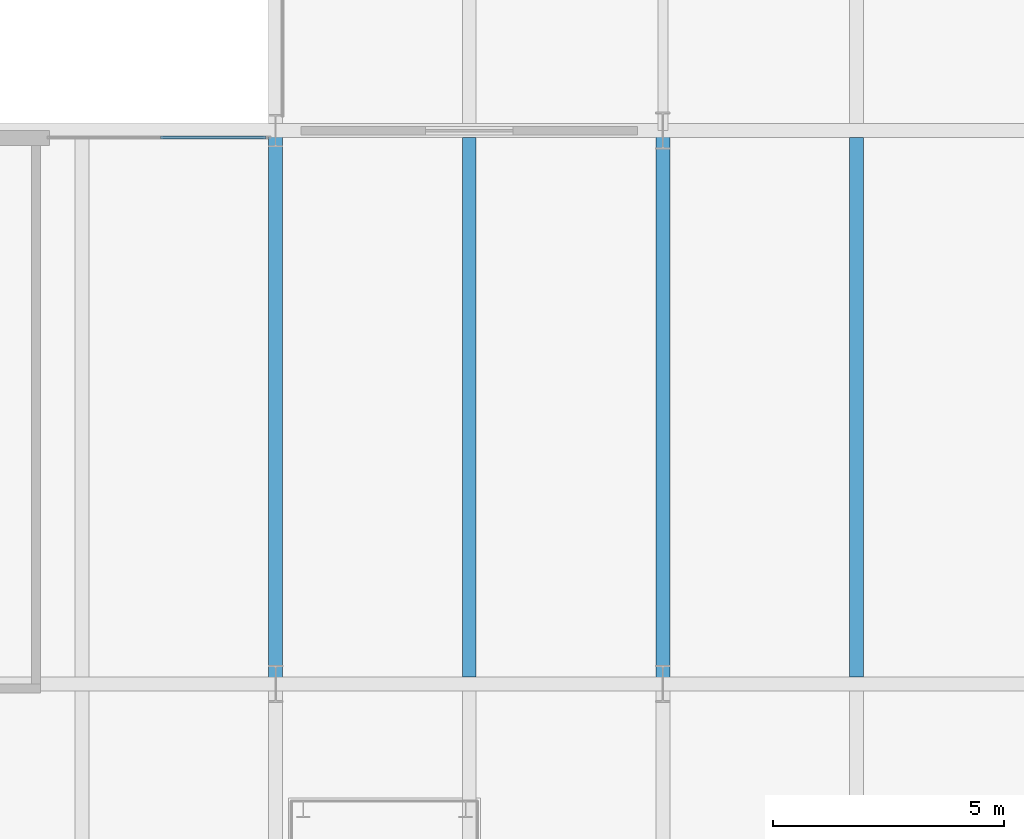
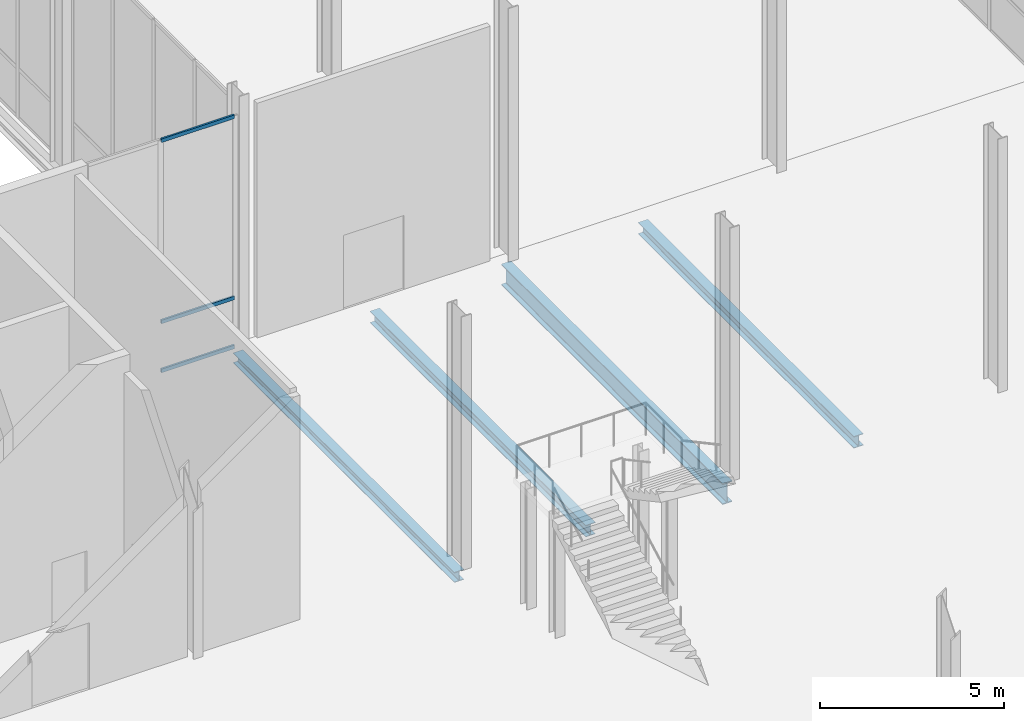
# One storey, part 52 of 131: 4 beams, 3 members, 1 element without a shape of its own.
"""IFC4 building model written with IfcOpenShell, lengths in metres."""

import ifcopenshell
import ifcopenshell.guid

model = None  # the IFC model being written
_history = None  # IfcOwnerHistory: only IFC2X3 demands one
_inside = {}  # id of a spatial element -> (the spatial element, [elements in it])
_under = {}  # id of a project, library or spatial element -> (it, [spatial elements below it])
_declared = {}  # id of a project -> (the project, [libraries it declares])
_typed = {}  # id of a type object -> (the type object, [elements of that type])
_made_of = {}  # id of a material, layer set ... -> (it, [elements and type objects made of it])


def new_model(schema):
    """Start an empty IFC model of exactly this schema.

    Asked for "IFC4X3", IfcOpenShell would pick the latest addendum, in which some entities
    have other attributes; the version numbers below select the first issue.
    IFC2X3 requires an IfcOwnerHistory on every rooted entity: one is made here for all.
    """
    global model, _history
    if schema == "IFC4X3":
        model = ifcopenshell.file(schema_version=(4, 3, 0, 0))
    else:
        model = ifcopenshell.file(schema=schema)
    _inside.clear()
    _under.clear()
    _declared.clear()
    _typed.clear()
    _made_of.clear()
    _history = None
    if model.schema == "IFC2X3":
        org = make("IfcOrganization", Name="unknown")
        user = make(
            "IfcPersonAndOrganization",
            ThePerson=make("IfcPerson", FamilyName="unknown"),
            TheOrganization=org,
        )
        app = make(
            "IfcApplication",
            ApplicationDeveloper=org,
            Version="unknown",
            ApplicationFullName="unknown",
            ApplicationIdentifier="unknown",
        )
        _history = make(
            "IfcOwnerHistory",
            OwningUser=user,
            OwningApplication=app,
            ChangeAction="ADDED",
            CreationDate=0,
        )
    return model


def make(cls, **values):
    """One entity of the class cls with the attributes given. An attribute that is None is left unset."""
    return model.create_entity(
        cls, **{name: value for name, value in values.items() if value is not None}
    )


def rooted(cls, **values):
    """An entity with a GlobalId (a new one), such as an element, a storey or a relation."""
    return make(cls, GlobalId=ifcopenshell.guid.new(), OwnerHistory=_history, **values)


def si_unit(unit_type, name, prefix=None):
    """IfcSIUnit, for example si_unit("LENGTHUNIT", "METRE", prefix="MILLI")."""
    return make("IfcSIUnit", UnitType=unit_type, Prefix=prefix, Name=name)


def assignment(units):
    """IfcUnitAssignment: the units of a project."""
    return None if units is None else make("IfcUnitAssignment", Units=units)


def point(xyz):
    """IfcCartesianPoint."""
    return None if xyz is None else make("IfcCartesianPoint", Coordinates=xyz)


def direction(xyz):
    """IfcDirection."""
    return None if xyz is None else make("IfcDirection", DirectionRatios=xyz)


def frame(location, z_axis=None, x_axis=None):
    """IfcAxis2Placement3D, a coordinate frame: its origin and axes. An axis left out is left unset."""
    return make(
        "IfcAxis2Placement3D",
        Location=point(location),
        Axis=direction(z_axis),
        RefDirection=direction(x_axis),
    )


def frame_2d(location, x_axis=None):
    """IfcAxis2Placement2D, a coordinate frame in the plane: its origin and x axis."""
    return make(
        "IfcAxis2Placement2D", Location=point(location), RefDirection=direction(x_axis)
    )


def origin():
    """The frame at (0, 0, 0) with its axes left unset."""
    return frame((0.0, 0.0, 0.0))


def origin_2d():
    """The frame at (0, 0) in the plane with its x axis left unset."""
    return frame_2d((0.0, 0.0))


def place(relative_to, where):
    """IfcLocalPlacement: puts the frame where relative to a parent placement (None: the world)."""
    return make(
        "IfcLocalPlacement", PlacementRelTo=relative_to, RelativePlacement=where
    )


def context(
    kind, dimensions, precision=None, world=None, true_north=None, identifier=None
):
    """IfcGeometricRepresentationContext, for example the 3D "Model" context."""
    return make(
        "IfcGeometricRepresentationContext",
        ContextIdentifier=identifier,
        ContextType=kind,
        CoordinateSpaceDimension=dimensions,
        Precision=precision,
        WorldCoordinateSystem=world,
        TrueNorth=true_north,
    )


def subcontext(parent, identifier, kind, view, scale=None):
    """IfcGeometricRepresentationSubContext, for example "Body" below "Model"."""
    return make(
        "IfcGeometricRepresentationSubContext",
        ContextIdentifier=identifier,
        ContextType=kind,
        ParentContext=parent,
        TargetScale=scale,
        TargetView=view,
    )


def project(units=None, contexts=None):
    """IfcProject with its units and contexts."""
    return rooted(
        "IfcProject",
        Name="project",
        RepresentationContexts=contexts,
        UnitsInContext=assignment(units),
    )


def spatial(cls, under=None, at=None, **own):
    """A site, building, storey or space (cls), placed at a placement, below another one or the project."""
    s = rooted(cls, ObjectPlacement=at, **own)
    if under is not None:
        _under.setdefault(under.id(), (under, []))[1].append(s)
    return s


def profile(cls, at=None, kind="AREA", **sizes):
    """A parametric profile (cls). Its sizes go by their IFC names, for example OverallWidth=200.0."""
    return make(cls, ProfileType=kind, Position=at, **sizes)


def hollow_rectangle(**sizes):
    """IfcRectangleHollowProfileDef."""
    return profile("IfcRectangleHollowProfileDef", **sizes)


def i_section(**sizes):
    """IfcIShapeProfileDef."""
    return profile("IfcIShapeProfileDef", **sizes)


def extrude(swept, where, along, depth):
    """IfcExtrudedAreaSolid: the profile swept, set in the frame where, extruded along a direction by depth."""
    return make(
        "IfcExtrudedAreaSolid",
        SweptArea=swept,
        Position=where,
        ExtrudedDirection=direction(along),
        Depth=depth,
    )


def shape(context_of_items, identifier, shape_type, items):
    """IfcShapeRepresentation: the items that make up one representation, for example the "Body"."""
    return make(
        "IfcShapeRepresentation",
        ContextOfItems=context_of_items,
        RepresentationIdentifier=identifier,
        RepresentationType=shape_type,
        Items=items,
    )


def material(Name=None, Category=None):
    """IfcMaterial."""
    return make("IfcMaterial", Name=Name, Category=Category)


def material_profile(
    of_material, cross_section, Name=None, Category=None, Priority=None
):
    """IfcMaterialProfile: a cross section and its material."""
    return make(
        "IfcMaterialProfile",
        Name=Name,
        Material=of_material,
        Profile=cross_section,
        Priority=Priority,
        Category=Category,
    )


def profile_set(profiles, Name=None, composite=None):
    """IfcMaterialProfileSet."""
    return make(
        "IfcMaterialProfileSet",
        Name=Name,
        MaterialProfiles=profiles,
        CompositeProfile=composite,
    )


def made_of(thing, what):
    """Note that an element or type object is made of a material, layer set ...; save() writes the relation."""
    if what is not None:
        _made_of.setdefault(what.id(), (what, []))[1].append(thing)
    return thing


def type_object(cls, material=None, **own):
    """A type object (cls), such as IfcWallType, which elements share."""
    return made_of(rooted(cls, **own), material)


def element(
    cls,
    number,
    at=None,
    inside=None,
    cuts=None,
    type_object=None,
    material=None,
    context=None,
    identifier="Body",
    shape_type=None,
    held_by="IfcProductDefinitionShape",
    body=None,
    shapes=None,
    **own,
):
    """One element of the class cls, such as IfcWall. Its Tag is "e" and its number.

    at: its placement. inside: the storey or other place that contains it. cuts: it is an
    opening in that element (IfcRelVoidsElement). A single representation is given by context,
    identifier, shape_type and body (its items); several are given by shapes. held_by: the class
    of the entity that holds the representations. save() writes the other relations.
    """
    e = rooted(cls, Tag="e%d" % number, ObjectPlacement=at, **own)
    if body is not None:
        shapes = [shape(context, identifier, shape_type, body)]
    if shapes is not None:
        e.Representation = make(held_by, Representations=shapes)
    if inside is not None:
        _inside.setdefault(inside.id(), (inside, []))[1].append(e)
    if cuts is not None:
        rooted(
            "IfcRelVoidsElement", RelatingBuildingElement=cuts, RelatedOpeningElement=e
        )
    if type_object is not None:
        _typed.setdefault(type_object.id(), (type_object, []))[1].append(e)
    return made_of(e, material)


def aggregate(whole, parts):
    """IfcRelAggregates: a whole, such as a stair, and the parts it consists of."""
    return rooted("IfcRelAggregates", RelatingObject=whole, RelatedObjects=parts)


def save(model, path):
    """Write the relations noted so far, then the file.

    IfcRelAggregates (storeys below a building ...), IfcRelContainedInSpatialStructure (elements
    in a storey), IfcRelDefinesByType, IfcRelAssociatesMaterial and IfcRelDeclares: one each for
    every whole, place, type object, material and project.
    """
    for whole, parts in _under.values():
        aggregate(whole, parts)
    for where, things in _inside.values():
        rooted(
            "IfcRelContainedInSpatialStructure",
            RelatedElements=things,
            RelatingStructure=where,
        )
    for kind, things in _typed.values():
        rooted("IfcRelDefinesByType", RelatedObjects=things, RelatingType=kind)
    for what, things in _made_of.values():
        rooted("IfcRelAssociatesMaterial", RelatedObjects=things, RelatingMaterial=what)
    for by, libraries in _declared.values():
        rooted("IfcRelDeclares", RelatingContext=by, RelatedDefinitions=libraries)
    model.write(path)


model = new_model("IFC4")

# Units and contexts
model_context = context("Model", 3, precision=1e-05, world=origin(), true_north=direction((0.0, 1.0)))
body_context = subcontext(model_context, "Body", "Model", "MODEL_VIEW")
ifc_project = project(units=[si_unit("LENGTHUNIT", "METRE"), si_unit("AREAUNIT", "SQUARE_METRE"), si_unit("VOLUMEUNIT", "CUBIC_METRE"), si_unit("PLANEANGLEUNIT", "RADIAN"), si_unit("MASSUNIT", "GRAM", prefix="KILO")], contexts=[model_context])

# Site, building, storey
site_placement = place(None, origin())
site = spatial("IfcSite", under=ifc_project, at=site_placement, CompositionType="ELEMENT")
building_placement = place(site_placement, origin())
building = spatial("IfcBuilding", under=site, at=building_placement, Name="Veltarok Museum of Natural Sciences", CompositionType="ELEMENT")
storey_placement = place(building_placement, origin())
storey = spatial("IfcBuildingStorey", under=building, at=storey_placement, Name="L00", CompositionType="ELEMENT", Elevation=0.0)

# Curtain wall, members
ifc_material_1 = material(Name="Low-iron triple insulated glass", Category="glass")
curtain_wall_type = type_object("IfcCurtainWallType", Name="Curtain Wall System CW-V2NH-L00-2-475x768 (CW-V2NH L00 475x768cm)", PredefinedType="NOTDEFINED", material=ifc_material_1)
curtain_wall_placement = place(storey_placement, origin())
curtain_wall = element("IfcCurtainWall", 1, at=curtain_wall_placement, inside=storey, type_object=curtain_wall_type, Name="Curtain Wall CW-V2NH-L00-2-475x768 CW-0150", PredefinedType="NOTDEFINED")
ifc_material_2 = material(Name="Thermally broken anodised aluminium", Category="aluminium")
ifc_material_profile_1 = material_profile(ifc_material_2, hollow_rectangle(XDim=0.06005859375, YDim=0.1201171875, WallThickness=0.0048828125, at=origin_2d()), Name="CW TRANSOM 60x120x5")
ifc_profile_set_1 = profile_set([ifc_material_profile_1], Name="Thermally broken anodised aluminium")
member_type = type_object("IfcMemberType", Name="Curtain Wall Horizontal Transom 60x120x5", PredefinedType="USERDEFINED", material=ifc_profile_set_1)
member_1_placement = place(storey_placement, frame((56.590087890625, 71.85009765625, 0.028076171875), z_axis=(-1.0, 0.0, 0.0), x_axis=(0.0, -1.0, 0.0)))
member_1 = element("IfcMember", 2, at=member_1_placement, type_object=member_type, Name="CW-V2NH-L00-2-475x768 transom 1.1", ObjectType="TRANSOM", PredefinedType="USERDEFINED", context=body_context, shape_type="SweptSolid", body=[
    extrude(hollow_rectangle(XDim=0.06005859375, YDim=0.1201171875, WallThickness=0.0048828125, at=origin_2d()), origin(), (0.0, 0.0, 1.0), 2.28515625),
])
member_2_placement = place(storey_placement, frame((56.590087890625, 71.85009765625, 1.64794921875), z_axis=(-1.0, 0.0, 0.0), x_axis=(0.0, -1.0, 0.0)))
member_2 = element("IfcMember", 3, at=member_2_placement, type_object=member_type, Name="CW-V2NH-L00-2-475x768 transom 1.2", ObjectType="TRANSOM", PredefinedType="USERDEFINED", context=body_context, shape_type="SweptSolid", body=[
    extrude(hollow_rectangle(XDim=0.06005859375, YDim=0.1201171875, WallThickness=0.0048828125, at=origin_2d()), origin(), (0.0, 0.0, 1.0), 2.28515625),
])
member_3_placement = place(storey_placement, frame((56.590087890625, 71.85009765625, 7.64990234375), z_axis=(-1.0, 0.0, 0.0), x_axis=(0.0, -1.0, 0.0)))
member_3 = element("IfcMember", 4, at=member_3_placement, type_object=member_type, Name="CW-V2NH-L00-2-475x768 transom 1.3", ObjectType="TRANSOM", PredefinedType="USERDEFINED", context=body_context, shape_type="SweptSolid", body=[
    extrude(hollow_rectangle(XDim=0.06005859375, YDim=0.1201171875, WallThickness=0.0048828125, at=origin_2d()), origin(), (0.0, 0.0, 1.0), 2.28515625),
])
aggregate(curtain_wall, [member_1, member_2, member_3])

# Beams
ifc_material_3 = material(Name="Steel S355J2", Category="steel")
ifc_material_profile_2 = material_profile(ifc_material_3, i_section(OverallWidth=0.300048828125, OverallDepth=0.389892578125, WebThickness=0.010986328125, FlangeThickness=0.01904296875, FilletRadius=0.027099609375, at=origin_2d()), Name="HEA 400")
ifc_profile_set_2 = profile_set([ifc_material_profile_2], Name="Steel S355J2")
beam_type_1 = type_object("IfcBeamType", Name="Heavy Archive Joist HEA 400", PredefinedType="JOIST", material=ifc_profile_set_2)
for number, where, z_axis, x_axis, name in (
    (5, (61.0, 60.14794921875, -0.4951171875), (0.0, 1.0, 0.0), (-1.0, 0.0, 0.0), "Secondary Joist BM-J06 L00 7-8/G-H.1"),
    (6, (69.39990234375, 60.14794921875, -0.4951171875), (0.0, 1.0, 0.0), (-1.0, 0.0, 0.0), "Secondary Joist BM-J06 L00 8-9/G-H.1"),
):
    element("IfcBeam", number, at=place(storey_placement, frame(where, z_axis=z_axis, x_axis=x_axis)), inside=storey, type_object=beam_type_1, Name=name, PredefinedType="JOIST", context=body_context, shape_type="SweptSolid", body=[
        extrude(i_section(OverallWidth=0.300048828125, OverallDepth=0.389892578125, WebThickness=0.010986328125, FlangeThickness=0.01904296875, FilletRadius=0.027099609375, at=origin_2d()), origin(), (0.0, 0.0, 1.0), 11.7041015625),
    ])
ifc_material_profile_3 = material_profile(ifc_material_3, i_section(OverallWidth=0.300048828125, OverallDepth=0.699951171875, WebThickness=0.01708984375, FlangeThickness=0.031982421875, FilletRadius=0.027099609375, at=origin_2d()), Name="HEB 700")
ifc_profile_set_3 = profile_set([ifc_material_profile_3], Name="Steel S355J2")
beam_type_2 = type_object("IfcBeamType", Name="Long-Span Hall Girder HEB 700", PredefinedType="BEAM", material=ifc_profile_set_3)
beam_1_placement = place(storey_placement, frame((65.199951171875, 60.0, -0.64990234375), z_axis=(0.0, 1.0, 0.0), x_axis=(-1.0, 0.0, 0.0)))
element("IfcBeam", 7, at=beam_1_placement, inside=storey, type_object=beam_type_2, Name="Beam BM-G01 L00 8/G-H", PredefinedType="BEAM", context=body_context, shape_type="SweptSolid", body=[
    extrude(i_section(OverallWidth=0.300048828125, OverallDepth=0.699951171875, WebThickness=0.01708984375, FlangeThickness=0.031982421875, FilletRadius=0.027099609375, at=origin_2d()), origin(), (0.0, 0.0, 1.0), 12.0),
])
ifc_material_profile_4 = material_profile(ifc_material_3, i_section(OverallWidth=0.300048828125, OverallDepth=0.340087890625, WebThickness=0.011962890625, FlangeThickness=0.021484375, FilletRadius=0.027099609375, at=origin_2d()), Name="HEB 340")
ifc_profile_set_4 = profile_set([ifc_material_profile_4], Name="Steel S355J2")
beam_type_3 = type_object("IfcBeamType", Name="Perimeter Bridge Spandrel HEB 340", PredefinedType="SPANDREL", material=ifc_profile_set_4)
beam_2_placement = place(storey_placement, frame((56.800048828125, 60.0, -0.469970703125), z_axis=(0.0, 1.0, 0.0), x_axis=(-1.0, 0.0, 0.0)))
element("IfcBeam", 8, at=beam_2_placement, inside=storey, type_object=beam_type_3, Name="Beam BM-SP07 L00 7/G-H", PredefinedType="SPANDREL", context=body_context, shape_type="SweptSolid", body=[
    extrude(i_section(OverallWidth=0.300048828125, OverallDepth=0.340087890625, WebThickness=0.011962890625, FlangeThickness=0.021484375, FilletRadius=0.027099609375, at=origin_2d()), origin(), (0.0, 0.0, 1.0), 12.0),
])

save(model, "model.ifc")
